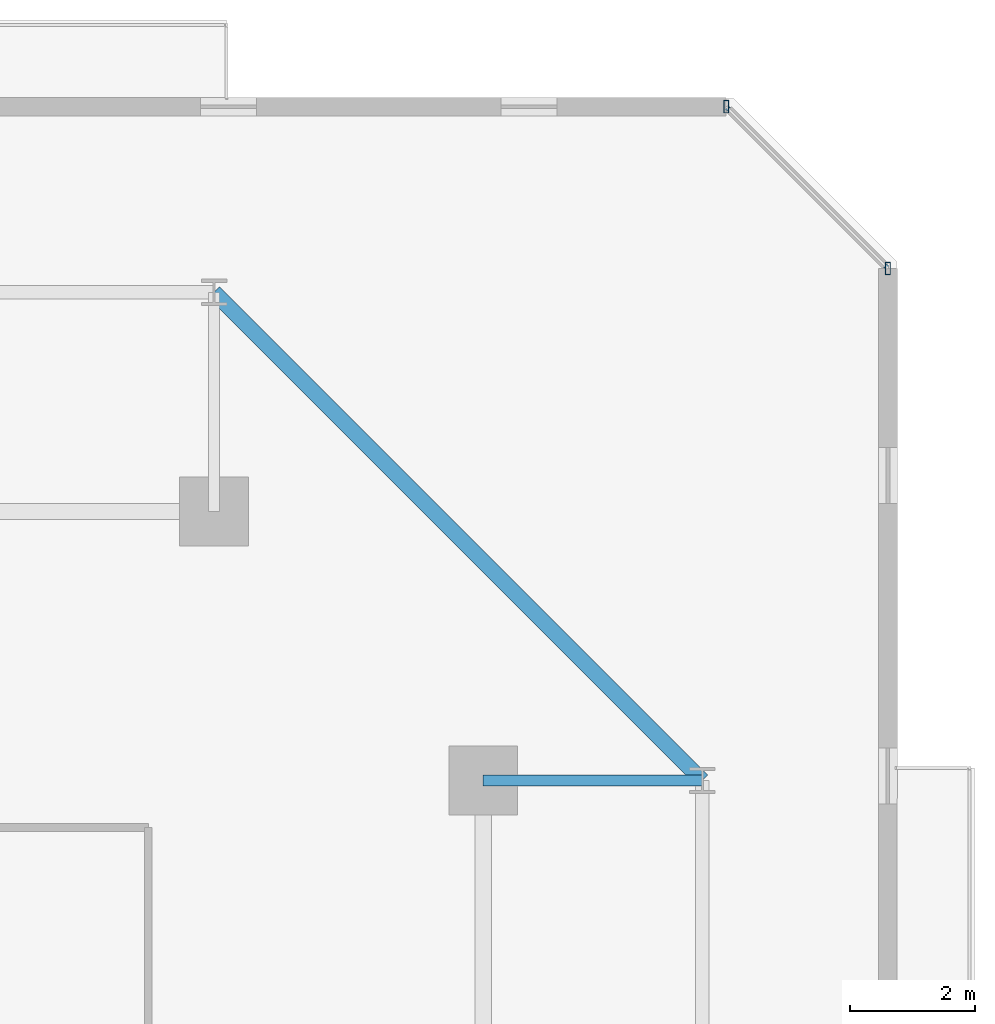
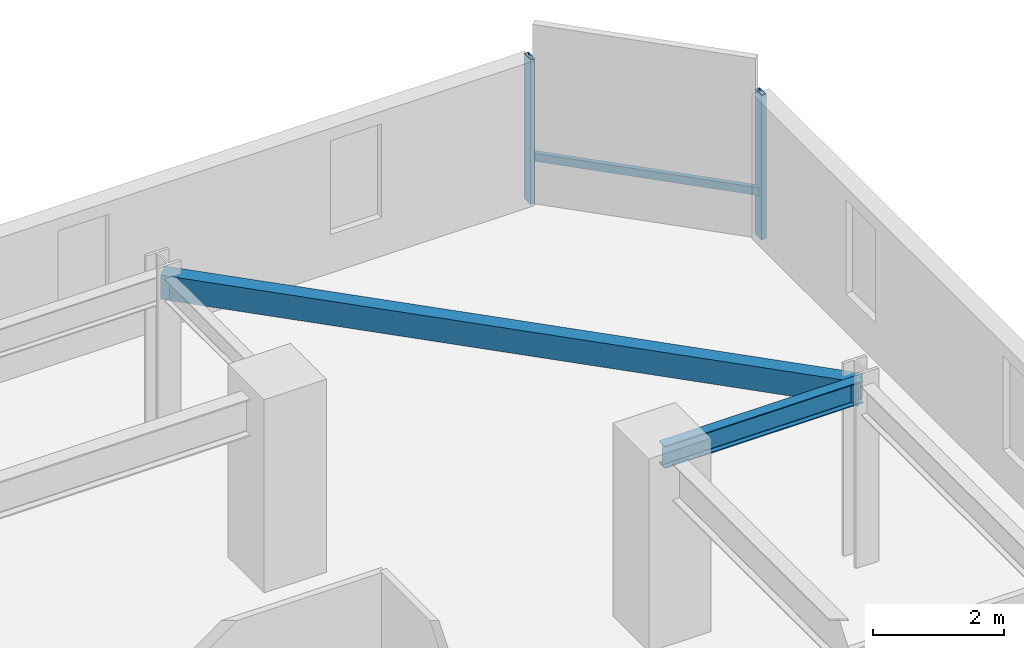
# One storey, part 17 of 32: 3 members, 2 beams, 1 element without a shape of its own.
"""IFC4 building model written with IfcOpenShell, lengths in metres."""

from ifc_helpers import new_model, si_unit, direction, frame, origin, origin_2d, place, context, subcontext, project, spatial, hollow_rectangle, i_section, extrude, material, material_profile, profile_set, type_object, element, aggregate, save


model = new_model("IFC4")

# Units and contexts
model_context = context("Model", 3, precision=1e-05, world=origin(), true_north=direction((0.0, 1.0)))
body_context = subcontext(model_context, "Body", "Model", "MODEL_VIEW")
ifc_project = project(units=[si_unit("LENGTHUNIT", "METRE"), si_unit("AREAUNIT", "SQUARE_METRE"), si_unit("VOLUMEUNIT", "CUBIC_METRE"), si_unit("PLANEANGLEUNIT", "RADIAN"), si_unit("MASSUNIT", "GRAM", prefix="KILO")], contexts=[model_context])

# Site, building, storey
site_placement = place(None, origin())
site = spatial("IfcSite", under=ifc_project, at=site_placement, CompositionType="ELEMENT")
building_placement = place(site_placement, origin())
building = spatial("IfcBuilding", under=site, at=building_placement, Name="Thornwick Lancets Civic Towers", CompositionType="ELEMENT")
storey_placement = place(building_placement, frame((0.0, 0.0, 156.300048828125)))
storey = spatial("IfcBuildingStorey", under=building, at=storey_placement, Name="L41", CompositionType="ELEMENT", Elevation=156.300048828125)

# Beams
ifc_material_1 = material(Name="Steel S355JR", Category="steel")
ifc_material_profile_1 = material_profile(ifc_material_1, i_section(OverallWidth=0.179443359375, OverallDepth=0.412841796875, WebThickness=0.009521484375, FlangeThickness=0.01611328125, FilletRadius=0.01025390625, at=origin_2d()), Name="UKB 406x178x74")
ifc_profile_set_1 = profile_set([ifc_material_profile_1], Name="Steel S355JR")
beam_type_1 = type_object("IfcBeamType", Name="BM_JOIST_406_74", PredefinedType="JOIST", material=ifc_profile_set_1)
beam_1_placement = place(storey_placement, frame((105.800048828125, 40.0, 3.153564453125), z_axis=(1.0, 0.0, 0.0), x_axis=(0.0, 1.0, 0.0)))
element("IfcBeam", 1, at=beam_1_placement, inside=storey, type_object=beam_type_1, Name="BM-RAD-L41-B03", PredefinedType="JOIST", context=body_context, shape_type="SweptSolid", body=[
    extrude(i_section(OverallWidth=0.179443359375, OverallDepth=0.412841796875, WebThickness=0.009521484375, FlangeThickness=0.01611328125, FilletRadius=0.01025390625, at=origin_2d()), origin(), (0.0, 0.0, 1.0), 3.5),
])
ifc_material_profile_2 = material_profile(ifc_material_1, hollow_rectangle(XDim=0.25, YDim=0.449951171875, WallThickness=0.01611328125, at=origin_2d()), Name="RHS 450x250x16")
ifc_profile_set_2 = profile_set([ifc_material_profile_2], Name="Steel S355JR")
beam_type_2 = type_object("IfcBeamType", Name="BM_RING_RHS450", PredefinedType="BEAM", material=ifc_profile_set_2)
beam_2_placement = place(storey_placement, frame((109.300048828125, 40.0, 3.135009765625), z_axis=(-0.707106781187, 0.707106781187, 0.0), x_axis=(-0.707106781187, -0.707106781187, 0.0)))
element("IfcBeam", 2, at=beam_2_placement, inside=storey, type_object=beam_type_2, Name="BM-CHAMF-L41-B-C0", PredefinedType="BEAM", context=body_context, shape_type="SweptSolid", body=[
    extrude(hollow_rectangle(XDim=0.25, YDim=0.449951171875, WallThickness=0.01611328125, at=origin_2d()), origin(), (0.0, 0.0, 1.0), 11.031005859375),
])

# Curtain wall, members
ifc_material_2 = material(Name="Mid-zone chamfered-corner unitised glass curtain wall", Category="glass")
curtain_wall_type = type_object("IfcCurtainWallType", Name="CW_SYS_04", PredefinedType="NOTDEFINED", material=ifc_material_2)
curtain_wall_placement = place(storey_placement, origin())
curtain_wall = element("IfcCurtainWall", 3, at=curtain_wall_placement, inside=storey, type_object=curtain_wall_type, Name="L41 Curtain Wall CW-L41-B-E3", PredefinedType="NOTDEFINED")
ifc_material_3 = material(Name="Thermally broken bronze aluminium S355", Category="steel")
ifc_material_profile_3 = material_profile(ifc_material_3, hollow_rectangle(XDim=0.080078125, YDim=0.199951171875, WallThickness=0.006103515625, at=origin_2d()), Name="RHS 200x80x6")
ifc_profile_set_3 = profile_set([ifc_material_profile_3], Name="Thermally broken bronze aluminium S355")
member_type_1 = type_object("IfcMemberType", Name="CW_MUL_200", PredefinedType="MULLION", material=ifc_profile_set_3)
member_1_placement = place(storey_placement, frame((112.2646484375, 48.181396484375, 0.0), z_axis=(0.0, 0.0, 1.0), x_axis=(1.0, 0.0, 0.0)))
member_1 = element("IfcMember", 4, at=member_1_placement, type_object=member_type_1, Name="CW-L41-B-E3 Mullion 0", PredefinedType="MULLION", context=body_context, shape_type="SweptSolid", body=[
    extrude(hollow_rectangle(XDim=0.080078125, YDim=0.199951171875, WallThickness=0.006103515625, at=origin_2d()), origin(), (0.0, 0.0, 1.0), 2.699951171875),
])
member_2_placement = place(storey_placement, frame((109.681396484375, 50.7646484375, 0.0), z_axis=(0.0, 0.0, 1.0), x_axis=(1.0, 0.0, 0.0)))
member_2 = element("IfcMember", 5, at=member_2_placement, type_object=member_type_1, Name="CW-L41-B-E3 Mullion 1", PredefinedType="MULLION", context=body_context, shape_type="SweptSolid", body=[
    extrude(hollow_rectangle(XDim=0.080078125, YDim=0.199951171875, WallThickness=0.006103515625, at=origin_2d()), origin(), (0.0, 0.0, 1.0), 2.699951171875),
])
ifc_material_profile_4 = material_profile(ifc_material_3, hollow_rectangle(XDim=0.074951171875, YDim=0.14990234375, WallThickness=0.0048828125, at=origin_2d()), Name="RHS 150x75x5")
ifc_profile_set_4 = profile_set([ifc_material_profile_4], Name="Thermally broken bronze aluminium S355")
member_type_2 = type_object("IfcMemberType", Name="CW_TRN_150", PredefinedType="USERDEFINED", material=ifc_profile_set_4)
member_3_placement = place(storey_placement, frame((112.25048828125, 48.195556640625, 0.849853515625), z_axis=(-0.707106781187, 0.707106781187, 0.0), x_axis=(-0.707106781187, -0.707106781187, 0.0)))
member_3 = element("IfcMember", 6, at=member_3_placement, type_object=member_type_2, Name="CW-L41-B-E3 Transom 0", ObjectType="TRANSOM", PredefinedType="USERDEFINED", context=body_context, shape_type="SweptSolid", body=[
    extrude(hollow_rectangle(XDim=0.074951171875, YDim=0.14990234375, WallThickness=0.0048828125, at=origin_2d()), origin(), (0.0, 0.0, 1.0), 3.61328125),
])
aggregate(curtain_wall, [member_1, member_2, member_3])

save(model, "model.ifc")
